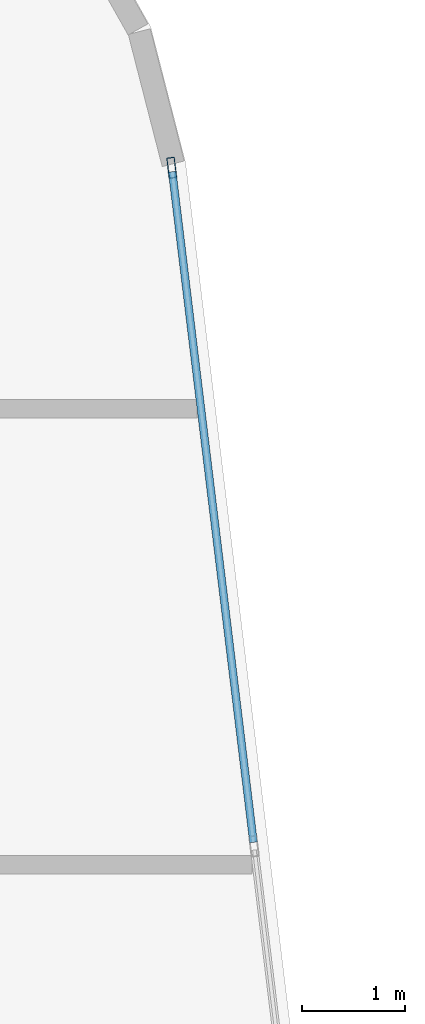
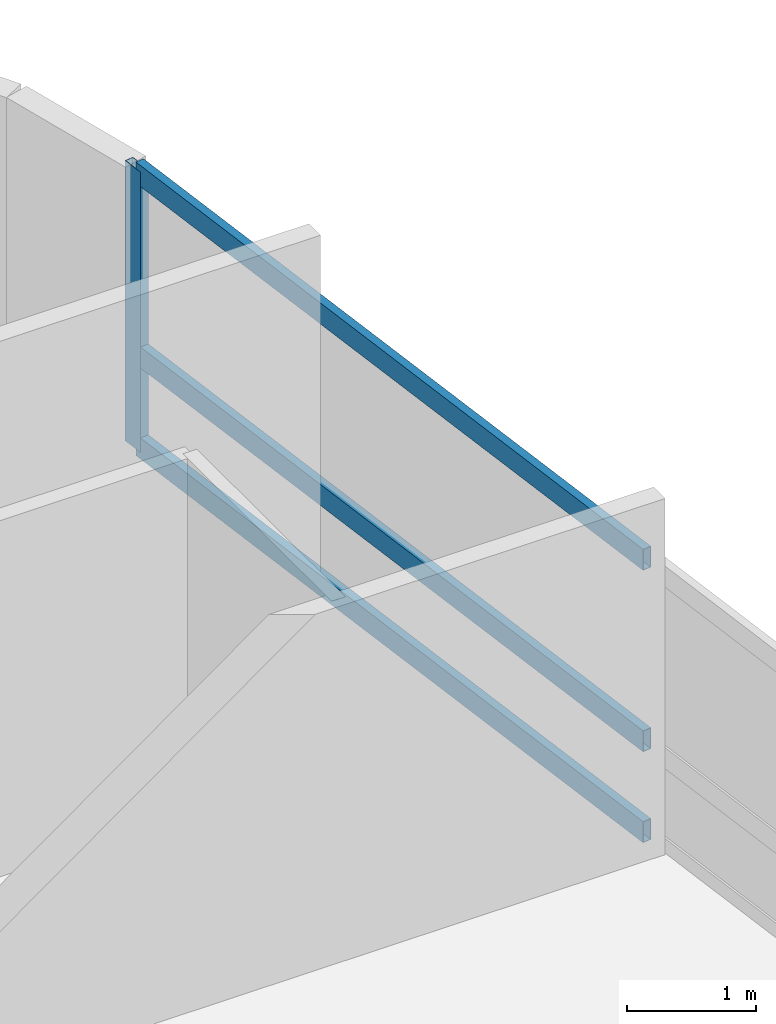
# One storey, part 12 of 22: 4 members, 1 element without a shape of its own.
"""IFC4 building model written with IfcOpenShell, lengths in metres."""

from ifc_helpers import new_model, si_unit, direction, frame, origin, origin_2d, place, context, subcontext, project, spatial, hollow_rectangle, extrude, material, layer, layer_set, material_profile, profile_set, type_object, element, aggregate, save


model = new_model("IFC4")

# Units and contexts
model_context = context("Model", 3, precision=1e-05, world=origin(), true_north=direction((0.0, 1.0)))
body_context = subcontext(model_context, "Body", "Model", "MODEL_VIEW")
ifc_project = project(units=[si_unit("LENGTHUNIT", "METRE"), si_unit("AREAUNIT", "SQUARE_METRE"), si_unit("VOLUMEUNIT", "CUBIC_METRE"), si_unit("PLANEANGLEUNIT", "RADIAN"), si_unit("MASSUNIT", "GRAM", prefix="KILO")], contexts=[model_context])

# Site, building, storey
site_placement = place(None, origin())
site = spatial("IfcSite", under=ifc_project, at=site_placement, CompositionType="ELEMENT")
building_placement = place(site_placement, origin())
building = spatial("IfcBuilding", under=site, at=building_placement, Name="Varnelok Gate Tower", CompositionType="ELEMENT")
storey_placement = place(building_placement, frame((0.0, 0.0, 204.199951171875)))
storey = spatial("IfcBuildingStorey", under=building, at=storey_placement, Name="L52", CompositionType="ELEMENT", Elevation=204.199951171875)

# Curtain wall, members
ifc_material = material(Name="Anodized Aluminum Alloy 6063-T6", Category="aluminium")
ifc_layer = layer(ifc_material, 0.179931640625)
ifc_layer_set = layer_set([ifc_layer], Name="Anodized Aluminum Alloy 6063-T6")
curtain_wall_type = type_object("IfcCurtainWallType", Name="CW4-RESIDENCE-VISION", PredefinedType="USERDEFINED", material=ifc_layer_set)
curtain_wall_placement = place(storey_placement, origin())
curtain_wall = element("IfcCurtainWall", 1, at=curtain_wall_placement, inside=storey, type_object=curtain_wall_type, Name="L52 East End Vision Curtain Wall", ObjectType="UNITISED CURTAIN WALL", PredefinedType="USERDEFINED")
ifc_material_profile_1 = material_profile(ifc_material, hollow_rectangle(XDim=0.074951171875, YDim=0.199951171875, WallThickness=0.00390625, at=origin_2d()), Name="ALU200X75X4")
ifc_profile_set_1 = profile_set([ifc_material_profile_1], Name="Anodized Aluminum Alloy 6063-T6")
member_type_1 = type_object("IfcMemberType", Name="CW-MULL-200", PredefinedType="MULLION", material=ifc_profile_set_1)
member_1_placement = place(storey_placement, frame((72.09912109375, 46.07275390625, 0.0), z_axis=(0.0, 0.0, 1.0), x_axis=(0.992732188751, 0.120344511371, 0.0)))
member_1 = element("IfcMember", 2, at=member_1_placement, type_object=member_type_1, Name="CW4 mullion 1", PredefinedType="MULLION", context=body_context, shape_type="SweptSolid", body=[
    extrude(hollow_rectangle(XDim=0.074951171875, YDim=0.199951171875, WallThickness=0.00390625, at=origin_2d()), origin(), (0.0, 0.0, 1.0), 2.66015625),
])
ifc_material_profile_2 = material_profile(ifc_material, hollow_rectangle(XDim=0.074951171875, YDim=0.199951171875, WallThickness=0.00390625, at=origin_2d()), Name="ALU200X75X4")
ifc_profile_set_2 = profile_set([ifc_material_profile_2], Name="Anodized Aluminum Alloy 6063-T6")
member_type_2 = type_object("IfcMemberType", Name="CW-TRAN-200", PredefinedType="USERDEFINED", material=ifc_profile_set_2)
member_2_placement = place(storey_placement, frame((72.103759765625, 46.035400390625, 0.03759765625), z_axis=(0.120332477695, -0.992733647466, 0.0), x_axis=(0.992733647466, 0.120332477695, 0.0)))
member_2 = element("IfcMember", 3, at=member_2_placement, type_object=member_type_2, Name="CW4 transom 1.1", ObjectType="TRANSOM", PredefinedType="USERDEFINED", context=body_context, shape_type="SweptSolid", body=[
    extrude(hollow_rectangle(XDim=0.074951171875, YDim=0.199951171875, WallThickness=0.00390625, at=origin_2d()), origin(), (0.0, 0.0, 1.0), 6.5673828125),
])
member_3_placement = place(storey_placement, frame((72.103759765625, 46.035400390625, 0.900146484375), z_axis=(0.120332477695, -0.992733647466, 0.0), x_axis=(0.992733647466, 0.120332477695, 0.0)))
member_3 = element("IfcMember", 4, at=member_3_placement, type_object=member_type_2, Name="CW4 transom 1.2", ObjectType="TRANSOM", PredefinedType="USERDEFINED", context=body_context, shape_type="SweptSolid", body=[
    extrude(hollow_rectangle(XDim=0.074951171875, YDim=0.199951171875, WallThickness=0.00390625, at=origin_2d()), origin(), (0.0, 0.0, 1.0), 6.5673828125),
])
member_4_placement = place(storey_placement, frame((72.103759765625, 46.035400390625, 2.62255859375), z_axis=(0.120332477695, -0.992733647466, 0.0), x_axis=(0.992733647466, 0.120332477695, 0.0)))
member_4 = element("IfcMember", 5, at=member_4_placement, type_object=member_type_2, Name="CW4 transom 1.3", ObjectType="TRANSOM", PredefinedType="USERDEFINED", context=body_context, shape_type="SweptSolid", body=[
    extrude(hollow_rectangle(XDim=0.074951171875, YDim=0.199951171875, WallThickness=0.00390625, at=origin_2d()), origin(), (0.0, 0.0, 1.0), 6.5673828125),
])
aggregate(curtain_wall, [member_1, member_2, member_3, member_4])

save(model, "model.ifc")
